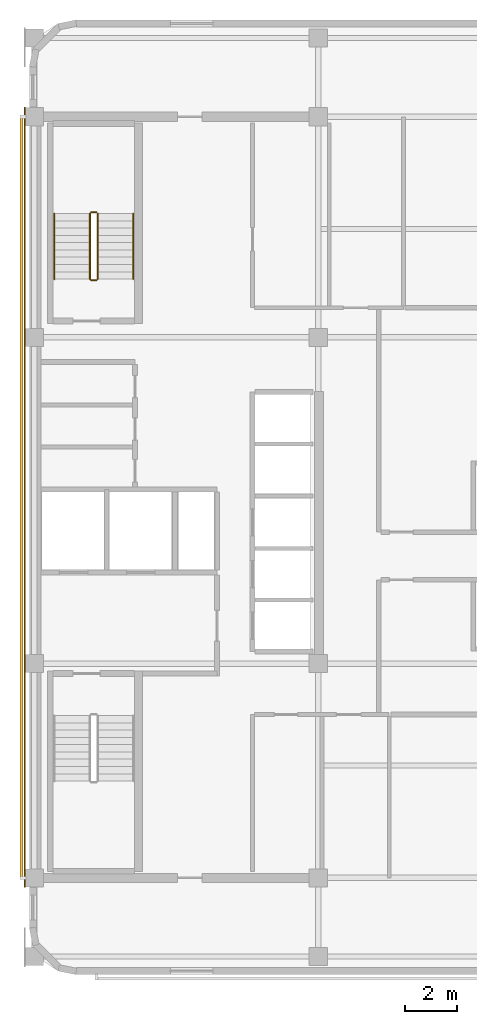
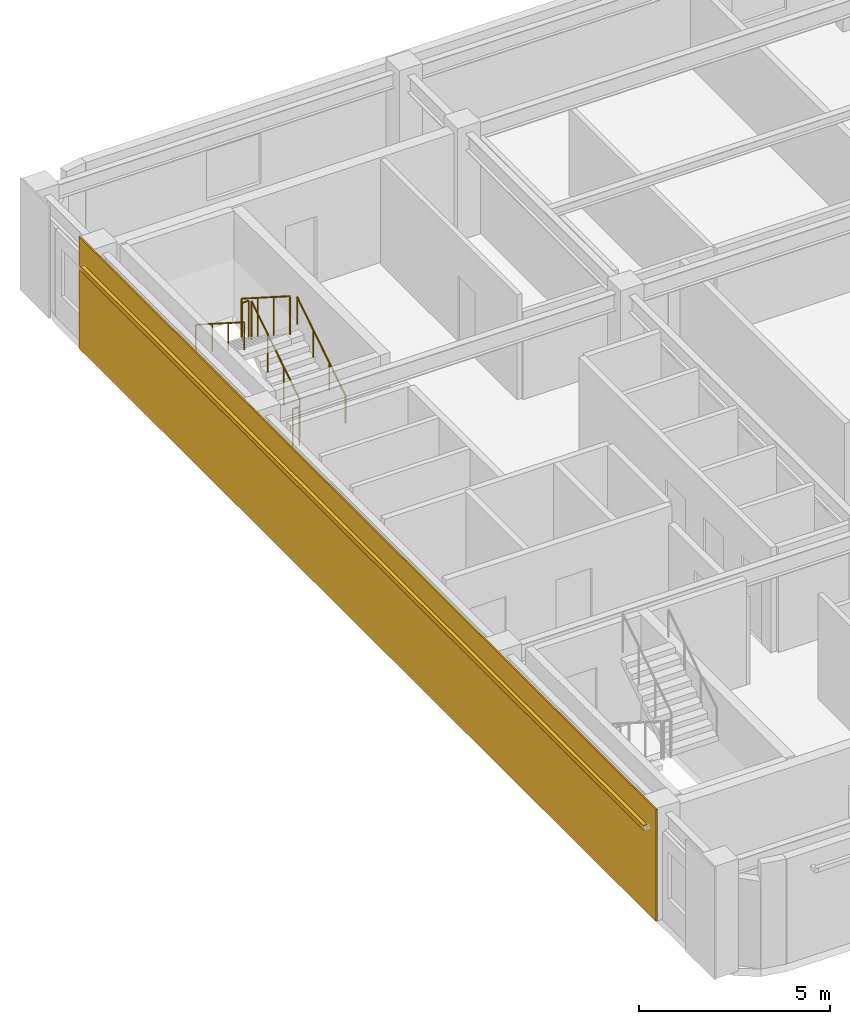
# One storey, part 9 of 10: 6 railings, 1 covering, 1 shading device.
"""IFC4 building model written with IfcOpenShell, lengths in metres."""

from ifc_helpers import new_model, si_unit, direction, frame, origin, origin_2d, place, context, subcontext, project, spatial, rectangle, circle, extrude, material, layer, layer_set, material_profile, profile_set, type_object, element, save


model = new_model("IFC4")

# Units and contexts
model_context = context("Model", 3, precision=1e-05, world=origin(), true_north=direction((0.0, 1.0)))
body_context = subcontext(model_context, "Body", "Model", "MODEL_VIEW")
ifc_project = project(units=[si_unit("LENGTHUNIT", "METRE"), si_unit("AREAUNIT", "SQUARE_METRE"), si_unit("VOLUMEUNIT", "CUBIC_METRE"), si_unit("PLANEANGLEUNIT", "RADIAN"), si_unit("MASSUNIT", "GRAM", prefix="KILO")], contexts=[model_context])

# Site, building, storey
site_placement = place(None, origin())
site = spatial("IfcSite", under=ifc_project, at=site_placement, CompositionType="ELEMENT")
building_placement = place(site_placement, origin())
building = spatial("IfcBuilding", under=site, at=building_placement, Name="Ochreholt Gables", CompositionType="ELEMENT")
storey_placement = place(building_placement, frame((0.0, 0.0, 246.0)))
storey = spatial("IfcBuildingStorey", under=building, at=storey_placement, Name="L64", CompositionType="ELEMENT", Elevation=246.0)

# Covering
ifc_material_1 = material(Name="Glazed Ochre Terracotta Rainscreen Cladding", Category="masonry")
ifc_layer = layer(ifc_material_1, 0.044921875, Name="Glazed Ochre Terracotta Rainscreen Cladding")
ifc_layer_set = layer_set([ifc_layer], Name="Glazed Ochre Terracotta Rainscreen Cladding")
covering_type = type_object("IfcCoveringType", Name="COV-CLAD-TC", PredefinedType="CLADDING", material=ifc_layer_set)
covering_placement = place(storey_placement, frame((23.827880859375, 24.0, 0.010009765625), z_axis=(0.0, 0.0, 1.0), x_axis=(0.0, 1.0, 0.0)))
element("IfcCovering", 1, at=covering_placement, inside=storey, type_object=covering_type, Name="L64 West Core Terracotta Rainscreen Cladding", PredefinedType="CLADDING", context=body_context, shape_type="SweptSolid", body=[
    extrude(rectangle(XDim=30.239990234375, YDim=0.044921875, at=origin_2d()), origin(), (0.0, 0.0, 1.0), 3.580078125),
])

# Railings
ifc_material_2 = material(Name="Painted Steel Stair Guardrail", Category="steel")
railing_type_1 = type_object("IfcRailingType", Name="RL-ST-GUARD", PredefinedType="GUARDRAIL", material=ifc_material_2)
railing_1_placement = place(storey_placement, frame((26.64990234375, 32.4599609375, 0.179931640625)))
element("IfcRailing", 2, at=railing_1_placement, inside=storey, type_object=railing_type_1, Name="L64 ST-2 stair guard 1", PredefinedType="GUARDRAIL", context=body_context, shape_type="SweptSolid", body=[
    extrude(circle(Radius=0.02392578125, at=origin_2d()), frame((0.0, 0.0, 1.22607421875), z_axis=(0.0, 0.842912820907, 0.538050161556), x_axis=(-1.0, 0.0, 0.0)), (0.0, 0.0, 1.0), 3.010986328125),
    extrude(circle(Radius=0.02099609375, at=origin_2d()), origin(), (0.0, 0.0, 1.0), 1.201904296875),
    extrude(circle(Radius=0.02099609375, at=origin_2d()), frame((0.0, 0.845947265625, 0.5400390625)), (0.0, 0.0, 1.0), 1.201904296875),
    extrude(circle(Radius=0.02099609375, at=origin_2d()), frame((0.0, 1.692138671875, 1.080078125)), (0.0, 0.0, 1.0), 1.201904296875),
    extrude(circle(Radius=0.02099609375, at=origin_2d()), frame((0.0, 2.5380859375, 1.6201171875)), (0.0, 0.0, 1.0), 1.201904296875),
])
railing_2_placement = place(storey_placement, frame((26.60009765625, 35.048095703125, 1.800048828125)))
element("IfcRailing", 3, at=railing_2_placement, inside=storey, type_object=railing_type_1, Name="L64 ST-2 stair guard 2", PredefinedType="GUARDRAIL", context=body_context, shape_type="SweptSolid", body=[
    extrude(circle(Radius=0.02392578125, at=origin_2d()), frame((0.0, 0.0, 1.22607421875), z_axis=(-1.0, 0.0, 0.0), x_axis=(0.0, -1.0, 0.0)), (0.0, 0.0, 1.0), 0.2001953125),
    extrude(circle(Radius=0.02099609375, at=origin_2d()), origin(), (0.0, 0.0, 1.0), 1.201904296875),
    extrude(circle(Radius=0.02099609375, at=origin_2d()), frame((-0.2001953125, 0.0, 0.0)), (0.0, 0.0, 1.0), 1.201904296875),
])
railing_3_placement = place(storey_placement, frame((26.35009765625, 34.998046875, 1.97998046875)))
element("IfcRailing", 4, at=railing_3_placement, inside=storey, type_object=railing_type_1, Name="L64 ST-2 stair guard 3", PredefinedType="GUARDRAIL", context=body_context, shape_type="SweptSolid", body=[
    extrude(circle(Radius=0.02392578125, at=origin_2d()), frame((0.0, 0.0, 1.22607421875), z_axis=(0.0, -0.842912820907, 0.538050161556), x_axis=(1.0, 0.0, 0.0)), (0.0, 0.0, 1.0), 3.010986328125),
    extrude(circle(Radius=0.02099609375, at=origin_2d()), origin(), (0.0, 0.0, 1.0), 1.201904296875),
    extrude(circle(Radius=0.02099609375, at=origin_2d()), frame((0.0, -0.845947265625, 0.5400390625)), (0.0, 0.0, 1.0), 1.201904296875),
    extrude(circle(Radius=0.02099609375, at=origin_2d()), frame((0.0, -1.692138671875, 1.080078125)), (0.0, 0.0, 1.0), 1.201904296875),
    extrude(circle(Radius=0.02099609375, at=origin_2d()), frame((0.0, -2.5380859375, 1.6201171875)), (0.0, 0.0, 1.0), 1.201904296875),
])
railing_4_placement = place(storey_placement, frame((26.60009765625, 32.409912109375, 0.0)))
element("IfcRailing", 5, at=railing_4_placement, inside=storey, type_object=railing_type_1, Name="L64 ST-2 stair guard 4", PredefinedType="GUARDRAIL", context=body_context, shape_type="SweptSolid", body=[
    extrude(circle(Radius=0.02392578125, at=origin_2d()), frame((0.0, 0.0, 1.22607421875), z_axis=(-1.0, 0.0, 0.0), x_axis=(0.0, -1.0, 0.0)), (0.0, 0.0, 1.0), 0.2001953125),
    extrude(circle(Radius=0.02099609375, at=origin_2d()), origin(), (0.0, 0.0, 1.0), 1.201904296875),
    extrude(circle(Radius=0.02099609375, at=origin_2d()), frame((-0.2001953125, 0.0, 0.0)), (0.0, 0.0, 1.0), 1.201904296875),
])
ifc_material_3 = material(Name="Brushed Stainless Steel Wall Handrail", Category="steel")
railing_type_2 = type_object("IfcRailingType", Name="RL-ST-HAND", PredefinedType="HANDRAIL", material=ifc_material_3)
railing_5_placement = place(storey_placement, frame((28.030029296875, 32.4599609375, 0.179931640625)))
element("IfcRailing", 6, at=railing_5_placement, inside=storey, type_object=railing_type_2, Name="L64 ST-2 stair handrail 1", PredefinedType="HANDRAIL", context=body_context, shape_type="SweptSolid", body=[
    extrude(circle(Radius=0.02392578125, at=origin_2d()), frame((0.0, 0.0, 0.8759765625), z_axis=(0.0, 0.842912820907, 0.538050161556), x_axis=(-1.0, 0.0, 0.0)), (0.0, 0.0, 1.0), 3.010986328125),
    extrude(circle(Radius=0.02099609375, at=origin_2d()), origin(), (0.0, 0.0, 1.0), 0.851806640625),
    extrude(circle(Radius=0.02099609375, at=origin_2d()), frame((0.0, 0.845947265625, 0.5400390625)), (0.0, 0.0, 1.0), 0.851806640625),
    extrude(circle(Radius=0.02099609375, at=origin_2d()), frame((0.0, 1.692138671875, 1.080078125)), (0.0, 0.0, 1.0), 0.851806640625),
    extrude(circle(Radius=0.02099609375, at=origin_2d()), frame((0.0, 2.5380859375, 1.6201171875)), (0.0, 0.0, 1.0), 0.851806640625),
])
railing_6_placement = place(storey_placement, frame((24.969970703125, 34.998046875, 1.97998046875)))
element("IfcRailing", 7, at=railing_6_placement, inside=storey, type_object=railing_type_2, Name="L64 ST-2 stair handrail 2", PredefinedType="HANDRAIL", context=body_context, shape_type="SweptSolid", body=[
    extrude(circle(Radius=0.02392578125, at=origin_2d()), frame((0.0, 0.0, 0.8759765625), z_axis=(0.0, -0.842912820907, 0.538050161556), x_axis=(1.0, 0.0, 0.0)), (0.0, 0.0, 1.0), 3.010986328125),
    extrude(circle(Radius=0.02099609375, at=origin_2d()), origin(), (0.0, 0.0, 1.0), 0.851806640625),
    extrude(circle(Radius=0.02099609375, at=origin_2d()), frame((0.0, -0.845947265625, 0.5400390625)), (0.0, 0.0, 1.0), 0.851806640625),
    extrude(circle(Radius=0.02099609375, at=origin_2d()), frame((0.0, -1.692138671875, 1.080078125)), (0.0, 0.0, 1.0), 0.851806640625),
    extrude(circle(Radius=0.02099609375, at=origin_2d()), frame((0.0, -2.5380859375, 1.6201171875)), (0.0, 0.0, 1.0), 0.851806640625),
])

# Shading device
ifc_material_4 = material(Name="Warm Ochre Glazed Terracotta Baguette", Category="masonry")
ifc_material_profile = material_profile(ifc_material_4, rectangle(XDim=0.110107421875, YDim=0.14990234375, at=origin_2d()), Name="TCBAG110X150")
ifc_profile_set = profile_set([ifc_material_profile], Name="Warm Ochre Glazed Terracotta Baguette")
shading_device_type = type_object("IfcShadingDeviceType", Name="SHD-BAGUETTE", PredefinedType="USERDEFINED", material=ifc_profile_set)
shading_device_placement = place(storey_placement, frame((23.699951171875, 38.75, 2.840087890625), z_axis=(0.0, -1.0, 0.0), x_axis=(1.0, 0.0, 0.0)))
element("IfcShadingDevice", 8, at=shading_device_placement, inside=storey, type_object=shading_device_type, Name="L64 Terracotta Baguette Screen W-1", ObjectType="BAGUETTE", PredefinedType="USERDEFINED", context=body_context, shape_type="SweptSolid", body=[
    extrude(rectangle(XDim=0.110107421875, YDim=0.14990234375, at=origin_2d()), origin(), (0.0, 0.0, 1.0), 29.5),
])

save(model, "model.ifc")
